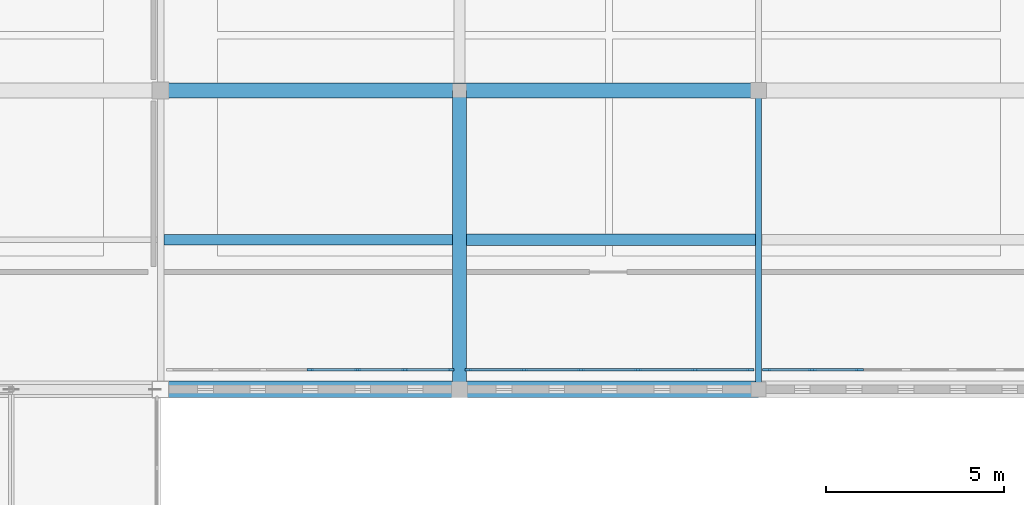
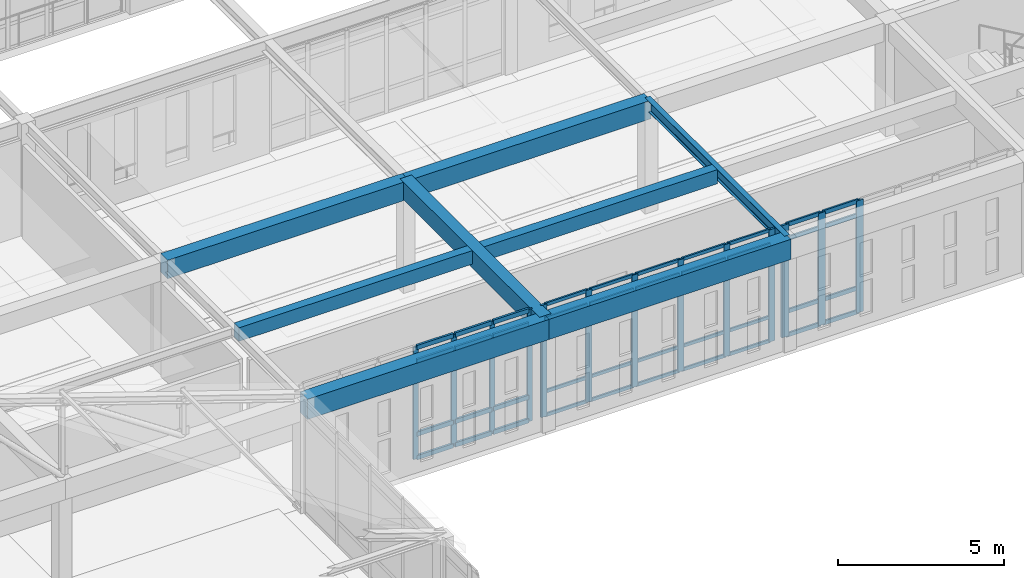
# One storey, part 91 of 192: 53 members, 8 beams, 3 elements without a shape of their own.
"""IFC4 building model written with IfcOpenShell, lengths in metres."""

import ifcopenshell
import ifcopenshell.guid

model = None  # the IFC model being written
_history = None  # IfcOwnerHistory: only IFC2X3 demands one
_inside = {}  # id of a spatial element -> (the spatial element, [elements in it])
_under = {}  # id of a project, library or spatial element -> (it, [spatial elements below it])
_declared = {}  # id of a project -> (the project, [libraries it declares])
_typed = {}  # id of a type object -> (the type object, [elements of that type])
_made_of = {}  # id of a material, layer set ... -> (it, [elements and type objects made of it])


def new_model(schema):
    """Start an empty IFC model of exactly this schema.

    Asked for "IFC4X3", IfcOpenShell would pick the latest addendum, in which some entities
    have other attributes; the version numbers below select the first issue.
    IFC2X3 requires an IfcOwnerHistory on every rooted entity: one is made here for all.
    """
    global model, _history
    if schema == "IFC4X3":
        model = ifcopenshell.file(schema_version=(4, 3, 0, 0))
    else:
        model = ifcopenshell.file(schema=schema)
    _inside.clear()
    _under.clear()
    _declared.clear()
    _typed.clear()
    _made_of.clear()
    _history = None
    if model.schema == "IFC2X3":
        org = make("IfcOrganization", Name="unknown")
        user = make(
            "IfcPersonAndOrganization",
            ThePerson=make("IfcPerson", FamilyName="unknown"),
            TheOrganization=org,
        )
        app = make(
            "IfcApplication",
            ApplicationDeveloper=org,
            Version="unknown",
            ApplicationFullName="unknown",
            ApplicationIdentifier="unknown",
        )
        _history = make(
            "IfcOwnerHistory",
            OwningUser=user,
            OwningApplication=app,
            ChangeAction="ADDED",
            CreationDate=0,
        )
    return model


def make(cls, **values):
    """One entity of the class cls with the attributes given. An attribute that is None is left unset."""
    return model.create_entity(
        cls, **{name: value for name, value in values.items() if value is not None}
    )


def rooted(cls, **values):
    """An entity with a GlobalId (a new one), such as an element, a storey or a relation."""
    return make(cls, GlobalId=ifcopenshell.guid.new(), OwnerHistory=_history, **values)


def si_unit(unit_type, name, prefix=None):
    """IfcSIUnit, for example si_unit("LENGTHUNIT", "METRE", prefix="MILLI")."""
    return make("IfcSIUnit", UnitType=unit_type, Prefix=prefix, Name=name)


def assignment(units):
    """IfcUnitAssignment: the units of a project."""
    return None if units is None else make("IfcUnitAssignment", Units=units)


def point(xyz):
    """IfcCartesianPoint."""
    return None if xyz is None else make("IfcCartesianPoint", Coordinates=xyz)


def direction(xyz):
    """IfcDirection."""
    return None if xyz is None else make("IfcDirection", DirectionRatios=xyz)


def frame(location, z_axis=None, x_axis=None):
    """IfcAxis2Placement3D, a coordinate frame: its origin and axes. An axis left out is left unset."""
    return make(
        "IfcAxis2Placement3D",
        Location=point(location),
        Axis=direction(z_axis),
        RefDirection=direction(x_axis),
    )


def frame_2d(location, x_axis=None):
    """IfcAxis2Placement2D, a coordinate frame in the plane: its origin and x axis."""
    return make(
        "IfcAxis2Placement2D", Location=point(location), RefDirection=direction(x_axis)
    )


def origin():
    """The frame at (0, 0, 0) with its axes left unset."""
    return frame((0.0, 0.0, 0.0))


def origin_2d():
    """The frame at (0, 0) in the plane with its x axis left unset."""
    return frame_2d((0.0, 0.0))


def place(relative_to, where):
    """IfcLocalPlacement: puts the frame where relative to a parent placement (None: the world)."""
    return make(
        "IfcLocalPlacement", PlacementRelTo=relative_to, RelativePlacement=where
    )


def context(
    kind, dimensions, precision=None, world=None, true_north=None, identifier=None
):
    """IfcGeometricRepresentationContext, for example the 3D "Model" context."""
    return make(
        "IfcGeometricRepresentationContext",
        ContextIdentifier=identifier,
        ContextType=kind,
        CoordinateSpaceDimension=dimensions,
        Precision=precision,
        WorldCoordinateSystem=world,
        TrueNorth=true_north,
    )


def subcontext(parent, identifier, kind, view, scale=None):
    """IfcGeometricRepresentationSubContext, for example "Body" below "Model"."""
    return make(
        "IfcGeometricRepresentationSubContext",
        ContextIdentifier=identifier,
        ContextType=kind,
        ParentContext=parent,
        TargetScale=scale,
        TargetView=view,
    )


def project(units=None, contexts=None):
    """IfcProject with its units and contexts."""
    return rooted(
        "IfcProject",
        Name="project",
        RepresentationContexts=contexts,
        UnitsInContext=assignment(units),
    )


def spatial(cls, under=None, at=None, **own):
    """A site, building, storey or space (cls), placed at a placement, below another one or the project."""
    s = rooted(cls, ObjectPlacement=at, **own)
    if under is not None:
        _under.setdefault(under.id(), (under, []))[1].append(s)
    return s


def profile(cls, at=None, kind="AREA", **sizes):
    """A parametric profile (cls). Its sizes go by their IFC names, for example OverallWidth=200.0."""
    return make(cls, ProfileType=kind, Position=at, **sizes)


def rectangle(**sizes):
    """IfcRectangleProfileDef."""
    return profile("IfcRectangleProfileDef", **sizes)


def i_section(**sizes):
    """IfcIShapeProfileDef."""
    return profile("IfcIShapeProfileDef", **sizes)


def extrude(swept, where, along, depth):
    """IfcExtrudedAreaSolid: the profile swept, set in the frame where, extruded along a direction by depth."""
    return make(
        "IfcExtrudedAreaSolid",
        SweptArea=swept,
        Position=where,
        ExtrudedDirection=direction(along),
        Depth=depth,
    )


def shape(context_of_items, identifier, shape_type, items):
    """IfcShapeRepresentation: the items that make up one representation, for example the "Body"."""
    return make(
        "IfcShapeRepresentation",
        ContextOfItems=context_of_items,
        RepresentationIdentifier=identifier,
        RepresentationType=shape_type,
        Items=items,
    )


def material(Name=None, Category=None):
    """IfcMaterial."""
    return make("IfcMaterial", Name=Name, Category=Category)


def layer(
    of_material, thickness, ventilated=None, Name=None, Category=None, Priority=None
):
    """IfcMaterialLayer: one layer of a wall or slab, of a material (None: an air gap)."""
    return make(
        "IfcMaterialLayer",
        Material=of_material,
        LayerThickness=thickness,
        IsVentilated=ventilated,
        Name=Name,
        Category=Category,
        Priority=Priority,
    )


def layer_set(layers, Name=None):
    """IfcMaterialLayerSet."""
    return make("IfcMaterialLayerSet", MaterialLayers=layers, LayerSetName=Name)


def material_profile(
    of_material, cross_section, Name=None, Category=None, Priority=None
):
    """IfcMaterialProfile: a cross section and its material."""
    return make(
        "IfcMaterialProfile",
        Name=Name,
        Material=of_material,
        Profile=cross_section,
        Priority=Priority,
        Category=Category,
    )


def profile_set(profiles, Name=None, composite=None):
    """IfcMaterialProfileSet."""
    return make(
        "IfcMaterialProfileSet",
        Name=Name,
        MaterialProfiles=profiles,
        CompositeProfile=composite,
    )


def made_of(thing, what):
    """Note that an element or type object is made of a material, layer set ...; save() writes the relation."""
    if what is not None:
        _made_of.setdefault(what.id(), (what, []))[1].append(thing)
    return thing


def type_object(cls, material=None, **own):
    """A type object (cls), such as IfcWallType, which elements share."""
    return made_of(rooted(cls, **own), material)


def element(
    cls,
    number,
    at=None,
    inside=None,
    cuts=None,
    type_object=None,
    material=None,
    context=None,
    identifier="Body",
    shape_type=None,
    held_by="IfcProductDefinitionShape",
    body=None,
    shapes=None,
    **own,
):
    """One element of the class cls, such as IfcWall. Its Tag is "e" and its number.

    at: its placement. inside: the storey or other place that contains it. cuts: it is an
    opening in that element (IfcRelVoidsElement). A single representation is given by context,
    identifier, shape_type and body (its items); several are given by shapes. held_by: the class
    of the entity that holds the representations. save() writes the other relations.
    """
    e = rooted(cls, Tag="e%d" % number, ObjectPlacement=at, **own)
    if body is not None:
        shapes = [shape(context, identifier, shape_type, body)]
    if shapes is not None:
        e.Representation = make(held_by, Representations=shapes)
    if inside is not None:
        _inside.setdefault(inside.id(), (inside, []))[1].append(e)
    if cuts is not None:
        rooted(
            "IfcRelVoidsElement", RelatingBuildingElement=cuts, RelatedOpeningElement=e
        )
    if type_object is not None:
        _typed.setdefault(type_object.id(), (type_object, []))[1].append(e)
    return made_of(e, material)


def aggregate(whole, parts):
    """IfcRelAggregates: a whole, such as a stair, and the parts it consists of."""
    return rooted("IfcRelAggregates", RelatingObject=whole, RelatedObjects=parts)


def save(model, path):
    """Write the relations noted so far, then the file.

    IfcRelAggregates (storeys below a building ...), IfcRelContainedInSpatialStructure (elements
    in a storey), IfcRelDefinesByType, IfcRelAssociatesMaterial and IfcRelDeclares: one each for
    every whole, place, type object, material and project.
    """
    for whole, parts in _under.values():
        aggregate(whole, parts)
    for where, things in _inside.values():
        rooted(
            "IfcRelContainedInSpatialStructure",
            RelatedElements=things,
            RelatingStructure=where,
        )
    for kind, things in _typed.values():
        rooted("IfcRelDefinesByType", RelatedObjects=things, RelatingType=kind)
    for what, things in _made_of.values():
        rooted("IfcRelAssociatesMaterial", RelatedObjects=things, RelatingMaterial=what)
    for by, libraries in _declared.values():
        rooted("IfcRelDeclares", RelatingContext=by, RelatedDefinitions=libraries)
    model.write(path)


model = new_model("IFC4")

# Units and contexts
model_context = context("Model", 3, precision=1e-05, world=origin(), true_north=direction((0.0, 1.0)))
body_context = subcontext(model_context, "Body", "Model", "MODEL_VIEW")
ifc_project = project(units=[si_unit("LENGTHUNIT", "METRE"), si_unit("AREAUNIT", "SQUARE_METRE"), si_unit("VOLUMEUNIT", "CUBIC_METRE"), si_unit("PLANEANGLEUNIT", "RADIAN"), si_unit("MASSUNIT", "GRAM", prefix="KILO")], contexts=[model_context])

# Site, building, storey
site_placement = place(None, origin())
site = spatial("IfcSite", under=ifc_project, at=site_placement, CompositionType="ELEMENT")
building_placement = place(site_placement, origin())
building = spatial("IfcBuilding", under=site, at=building_placement, Name="Kveldsbrygga Polytechnic", CompositionType="ELEMENT")
storey_placement = place(building_placement, frame((0.0, 0.0, 5.43994140625)))
storey = spatial("IfcBuildingStorey", under=building, at=storey_placement, Name="L01", CompositionType="ELEMENT", Elevation=5.43994140625)

# Beams
ifc_material_1 = material(Name="Concrete C35/45", Category="concrete")
ifc_material_profile_1 = material_profile(ifc_material_1, rectangle(XDim=0.39990234375, YDim=0.64990234375, at=origin_2d()), Name="RC 400x650")
ifc_profile_set_1 = profile_set([ifc_material_profile_1], Name="Concrete C35/45")
beam_type_1 = type_object("IfcBeamType", Name="BM-RC-400x650", PredefinedType="BEAM", material=ifc_profile_set_1)
beam_1_placement = place(storey_placement, frame((84.0, 84.0, 3.795166015625), z_axis=(0.0, 1.0, 0.0), x_axis=(-1.0, 0.0, 0.0)))
element("IfcBeam", 1, at=beam_1_placement, inside=storey, type_object=beam_type_1, Name="Primary Beam BMY-L01-10-10to11", PredefinedType="BEAM", context=body_context, shape_type="SweptSolid", body=[
    extrude(rectangle(XDim=0.39990234375, YDim=0.64990234375, at=origin_2d()), origin(), (0.0, 0.0, 1.0), 8.39990234375),
])
ifc_material_profile_2 = material_profile(ifc_material_1, rectangle(XDim=0.419921875, YDim=0.679931640625, at=origin_2d()), Name="RC 420x680")
ifc_profile_set_2 = profile_set([ifc_material_profile_2], Name="Concrete C35/45")
beam_type_2 = type_object("IfcBeamType", Name="BM-RC-420x680", PredefinedType="BEAM", material=ifc_profile_set_2)
for number, where, z_axis, x_axis, name in (
    (2, (75.60009765625, 92.39990234375, 3.780029296875), (1.0, 0.0, 0.0), (0.0, 1.0, 0.0), "Primary Beam BMX-L01-09to10-11"),
    (3, (84.0, 92.39990234375, 3.780029296875), (1.0, 0.0, 0.0), (0.0, 1.0, 0.0), "Primary Beam BMX-L01-10to11-11"),
):
    element("IfcBeam", number, at=place(storey_placement, frame(where, z_axis=z_axis, x_axis=x_axis)), inside=storey, type_object=beam_type_2, Name=name, PredefinedType="BEAM", context=body_context, shape_type="SweptSolid", body=[
        extrude(rectangle(XDim=0.419921875, YDim=0.679931640625, at=origin_2d()), origin(), (0.0, 0.0, 1.0), 8.39990234375),
    ])
ifc_material_profile_3 = material_profile(ifc_material_1, rectangle(XDim=0.4599609375, YDim=0.739990234375, at=origin_2d()), Name="RC 460x740")
ifc_profile_set_3 = profile_set([ifc_material_profile_3], Name="Concrete C35/45")
beam_type_3 = type_object("IfcBeamType", Name="BM-RC-460x740", PredefinedType="BEAM", material=ifc_profile_set_3)
for number, where, z_axis, x_axis, name in (
    (4, (75.60009765625, 84.0, 3.75), (1.0, 0.0, 0.0), (0.0, 1.0, 0.0), "Primary Beam BMX-L01-09to10-10"),
    (5, (84.0, 84.0, 3.75), (1.0, 0.0, 0.0), (0.0, 1.0, 0.0), "Primary Beam BMX-L01-10to11-10"),
):
    element("IfcBeam", number, at=place(storey_placement, frame(where, z_axis=z_axis, x_axis=x_axis)), inside=storey, type_object=beam_type_3, Name=name, PredefinedType="BEAM", context=body_context, shape_type="SweptSolid", body=[
        extrude(rectangle(XDim=0.4599609375, YDim=0.739990234375, at=origin_2d()), origin(), (0.0, 0.0, 1.0), 8.39990234375),
    ])
ifc_material_2 = material(Name="Steel S355", Category="steel")
ifc_material_profile_4 = material_profile(ifc_material_2, i_section(OverallWidth=0.179931640625, OverallDepth=0.39990234375, WebThickness=0.008544921875, FlangeThickness=0.013427734375, FilletRadius=0.02099609375, at=origin_2d()), Name="IPE 400")
ifc_profile_set_4 = profile_set([ifc_material_profile_4], Name="Steel S355")
beam_type_4 = type_object("IfcBeamType", Name="BM-STL-IPE400", PredefinedType="BEAM", material=ifc_profile_set_4)
beam_2_placement = place(storey_placement, frame((92.39990234375, 84.0, 3.920166015625), z_axis=(0.0, 1.0, 0.0), x_axis=(-1.0, 0.0, 0.0)))
element("IfcBeam", 6, at=beam_2_placement, inside=storey, type_object=beam_type_4, Name="Primary Beam BMY-L01-11-10to11", PredefinedType="BEAM", context=body_context, shape_type="SweptSolid", body=[
    extrude(i_section(OverallWidth=0.179931640625, OverallDepth=0.39990234375, WebThickness=0.008544921875, FlangeThickness=0.013427734375, FilletRadius=0.02099609375, at=origin_2d()), origin(), (0.0, 0.0, 1.0), 8.39990234375),
])

# Curtain wall, members
ifc_material_3 = material(Name="Anodised aluminium AW-6060", Category="aluminium")
ifc_layer_1 = layer(ifc_material_3, 0.169921875)
ifc_layer_set_1 = layer_set([ifc_layer_1], Name="Anodised aluminium AW-6060")
curtain_wall_type_1 = type_object("IfcCurtainWallType", Name="CW-FOYR-F", PredefinedType="USERDEFINED", material=ifc_layer_set_1)
curtain_wall_1_placement = place(storey_placement, origin())
curtain_wall_1 = element("IfcCurtainWall", 7, at=curtain_wall_1_placement, inside=storey, type_object=curtain_wall_type_1, Name="Curtain Wall CW-L01-X-09-10", ObjectType="STICK CURTAIN WALL", PredefinedType="USERDEFINED")
ifc_material_profile_5 = material_profile(ifc_material_3, rectangle(XDim=0.06005859375, YDim=0.179931640625, at=origin_2d()), Name="ALU 60x180")
ifc_profile_set_5 = profile_set([ifc_material_profile_5], Name="Anodised aluminium AW-6060")
member_type_1 = type_object("IfcMemberType", Name="CW-MUL-180", PredefinedType="MULLION", material=ifc_profile_set_5)
member_1_placement = place(storey_placement, frame((79.8076171875, 84.550048828125, 0.0), z_axis=(0.0, 0.0, 1.0), x_axis=(0.0, 1.0, 0.0)))
member_1 = element("IfcMember", 8, at=member_1_placement, type_object=member_type_1, Name="CW-06 mullion 4", PredefinedType="MULLION", context=body_context, shape_type="SweptSolid", body=[
    extrude(rectangle(XDim=0.06005859375, YDim=0.179931640625, at=origin_2d()), origin(), (0.0, 0.0, 1.0), 4.1201171875),
])
member_2_placement = place(storey_placement, frame((81.135009765625, 84.550048828125, 0.0), z_axis=(0.0, 0.0, 1.0), x_axis=(0.0, 1.0, 0.0)))
member_2 = element("IfcMember", 9, at=member_2_placement, type_object=member_type_1, Name="CW-06 mullion 5", PredefinedType="MULLION", context=body_context, shape_type="SweptSolid", body=[
    extrude(rectangle(XDim=0.06005859375, YDim=0.179931640625, at=origin_2d()), origin(), (0.0, 0.0, 1.0), 4.1201171875),
])
member_3_placement = place(storey_placement, frame((82.46240234375, 84.550048828125, 0.0), z_axis=(0.0, 0.0, 1.0), x_axis=(0.0, 1.0, 0.0)))
member_3 = element("IfcMember", 10, at=member_3_placement, type_object=member_type_1, Name="CW-06 mullion 6", PredefinedType="MULLION", context=body_context, shape_type="SweptSolid", body=[
    extrude(rectangle(XDim=0.06005859375, YDim=0.179931640625, at=origin_2d()), origin(), (0.0, 0.0, 1.0), 4.1201171875),
])
member_4_placement = place(storey_placement, frame((83.760009765625, 84.550048828125, 0.0), z_axis=(0.0, 0.0, 1.0), x_axis=(0.0, 1.0, 0.0)))
member_4 = element("IfcMember", 11, at=member_4_placement, type_object=member_type_1, Name="CW-06 mullion 7", PredefinedType="MULLION", context=body_context, shape_type="SweptSolid", body=[
    extrude(rectangle(XDim=0.06005859375, YDim=0.179931640625, at=origin_2d()), origin(), (0.0, 0.0, 1.0), 4.1201171875),
])

ifc_layer_2 = layer(ifc_material_3, 0.18994140625)
ifc_layer_set_2 = layer_set([ifc_layer_2], Name="Anodised aluminium AW-6060")
curtain_wall_type_2 = type_object("IfcCurtainWallType", Name="CW-REFC-G", PredefinedType="USERDEFINED", material=ifc_layer_set_2)
curtain_wall_2_placement = place(storey_placement, origin())
curtain_wall_2 = element("IfcCurtainWall", 12, at=curtain_wall_2_placement, inside=storey, type_object=curtain_wall_type_2, Name="Curtain Wall CW-L01-X-10-10", ObjectType="UNITISED CURTAIN WALL", PredefinedType="USERDEFINED")
ifc_material_profile_6 = material_profile(ifc_material_3, rectangle(XDim=0.074951171875, YDim=0.199951171875, at=origin_2d()), Name="ALU 75x200")
ifc_profile_set_6 = profile_set([ifc_material_profile_6], Name="Anodised aluminium AW-6060")
member_type_2 = type_object("IfcMemberType", Name="CW-MUL-200", PredefinedType="MULLION", material=ifc_profile_set_6)
member_5_placement = place(storey_placement, frame((84.24755859375, 84.550048828125, 0.0), z_axis=(0.0, 0.0, 1.0), x_axis=(0.0, 1.0, 0.0)))
member_5 = element("IfcMember", 13, at=member_5_placement, type_object=member_type_2, Name="CW-07 mullion 1", PredefinedType="MULLION", context=body_context, shape_type="SweptSolid", body=[
    extrude(rectangle(XDim=0.074951171875, YDim=0.199951171875, at=origin_2d()), origin(), (0.0, 0.0, 1.0), 4.1201171875),
])
member_6_placement = place(storey_placement, frame((85.80908203125, 84.550048828125, 0.0), z_axis=(0.0, 0.0, 1.0), x_axis=(0.0, 1.0, 0.0)))
member_6 = element("IfcMember", 14, at=member_6_placement, type_object=member_type_2, Name="CW-07 mullion 2", PredefinedType="MULLION", context=body_context, shape_type="SweptSolid", body=[
    extrude(rectangle(XDim=0.074951171875, YDim=0.199951171875, at=origin_2d()), origin(), (0.0, 0.0, 1.0), 4.1201171875),
])
member_7_placement = place(storey_placement, frame((87.407958984375, 84.550048828125, 0.0), z_axis=(0.0, 0.0, 1.0), x_axis=(0.0, 1.0, 0.0)))
member_7 = element("IfcMember", 15, at=member_7_placement, type_object=member_type_2, Name="CW-07 mullion 3", PredefinedType="MULLION", context=body_context, shape_type="SweptSolid", body=[
    extrude(rectangle(XDim=0.074951171875, YDim=0.199951171875, at=origin_2d()), origin(), (0.0, 0.0, 1.0), 4.1201171875),
])
member_8_placement = place(storey_placement, frame((89.007080078125, 84.550048828125, 0.0), z_axis=(0.0, 0.0, 1.0), x_axis=(0.0, 1.0, 0.0)))
member_8 = element("IfcMember", 16, at=member_8_placement, type_object=member_type_2, Name="CW-07 mullion 4", PredefinedType="MULLION", context=body_context, shape_type="SweptSolid", body=[
    extrude(rectangle(XDim=0.074951171875, YDim=0.199951171875, at=origin_2d()), origin(), (0.0, 0.0, 1.0), 4.1201171875),
])
member_9_placement = place(storey_placement, frame((90.60595703125, 84.550048828125, 0.0), z_axis=(0.0, 0.0, 1.0), x_axis=(0.0, 1.0, 0.0)))
member_9 = element("IfcMember", 17, at=member_9_placement, type_object=member_type_2, Name="CW-07 mullion 5", PredefinedType="MULLION", context=body_context, shape_type="SweptSolid", body=[
    extrude(rectangle(XDim=0.074951171875, YDim=0.199951171875, at=origin_2d()), origin(), (0.0, 0.0, 1.0), 4.1201171875),
])
member_10_placement = place(storey_placement, frame((92.16748046875, 84.550048828125, 0.0), z_axis=(0.0, 0.0, 1.0), x_axis=(0.0, 1.0, 0.0)))
member_10 = element("IfcMember", 18, at=member_10_placement, type_object=member_type_2, Name="CW-07 mullion 6", PredefinedType="MULLION", context=body_context, shape_type="SweptSolid", body=[
    extrude(rectangle(XDim=0.074951171875, YDim=0.199951171875, at=origin_2d()), origin(), (0.0, 0.0, 1.0), 4.1201171875),
])

ifc_layer_3 = layer(ifc_material_3, 0.2099609375)
ifc_layer_set_3 = layer_set([ifc_layer_3], Name="Anodised aluminium AW-6060")
curtain_wall_type_3 = type_object("IfcCurtainWallType", Name="CW-LIBR-H", PredefinedType="USERDEFINED", material=ifc_layer_set_3)
curtain_wall_3_placement = place(storey_placement, origin())
curtain_wall_3 = element("IfcCurtainWall", 19, at=curtain_wall_3_placement, inside=storey, type_object=curtain_wall_type_3, Name="Curtain Wall CW-L01-X-11-10", ObjectType="UNITISED CURTAIN WALL", PredefinedType="USERDEFINED")
ifc_material_profile_7 = material_profile(ifc_material_3, rectangle(XDim=0.074951171875, YDim=0.239990234375, at=origin_2d()), Name="ALU 75x240")
ifc_profile_set_7 = profile_set([ifc_material_profile_7], Name="Anodised aluminium AW-6060")
member_type_3 = type_object("IfcMemberType", Name="CW-MUL-240", PredefinedType="MULLION", material=ifc_profile_set_7)
member_11_placement = place(storey_placement, frame((92.632568359375, 84.550048828125, 0.0), z_axis=(0.0, 0.0, 1.0), x_axis=(0.0, 1.0, 0.0)))
member_11 = element("IfcMember", 20, at=member_11_placement, type_object=member_type_3, Name="CW-08 mullion 1", PredefinedType="MULLION", context=body_context, shape_type="SweptSolid", body=[
    extrude(rectangle(XDim=0.074951171875, YDim=0.239990234375, at=origin_2d()), origin(), (0.0, 0.0, 1.0), 4.1201171875),
])
member_12_placement = place(storey_placement, frame((93.910888671875, 84.550048828125, 0.0), z_axis=(0.0, 0.0, 1.0), x_axis=(0.0, 1.0, 0.0)))
member_12 = element("IfcMember", 21, at=member_12_placement, type_object=member_type_3, Name="CW-08 mullion 2", PredefinedType="MULLION", context=body_context, shape_type="SweptSolid", body=[
    extrude(rectangle(XDim=0.074951171875, YDim=0.239990234375, at=origin_2d()), origin(), (0.0, 0.0, 1.0), 4.1201171875),
])
member_13_placement = place(storey_placement, frame((95.2265625, 84.550048828125, 0.0), z_axis=(0.0, 0.0, 1.0), x_axis=(0.0, 1.0, 0.0)))
member_13 = element("IfcMember", 22, at=member_13_placement, type_object=member_type_3, Name="CW-08 mullion 3", PredefinedType="MULLION", context=body_context, shape_type="SweptSolid", body=[
    extrude(rectangle(XDim=0.074951171875, YDim=0.239990234375, at=origin_2d()), origin(), (0.0, 0.0, 1.0), 4.1201171875),
])

# Member
ifc_material_profile_8 = material_profile(ifc_material_3, rectangle(XDim=0.06005859375, YDim=0.1201171875, at=origin_2d()), Name="ALU 60x120")
ifc_profile_set_8 = profile_set([ifc_material_profile_8], Name="Anodised aluminium AW-6060")
member_type_4 = type_object("IfcMemberType", Name="CW-TRN-120", PredefinedType="USERDEFINED", material=ifc_profile_set_8)
member_14_placement = place(storey_placement, frame((84.284912109375, 84.550048828125, 0.030029296875), z_axis=(1.0, 0.0, 0.0), x_axis=(0.0, 1.0, 0.0)))
member_14 = element("IfcMember", 23, at=member_14_placement, type_object=member_type_4, Name="CW-07 transom 1.1", ObjectType="TRANSOM", PredefinedType="USERDEFINED", context=body_context, shape_type="SweptSolid", body=[
    extrude(rectangle(XDim=0.06005859375, YDim=0.1201171875, at=origin_2d()), origin(), (0.0, 0.0, 1.0), 1.486572265625),
])

member_15_placement = place(storey_placement, frame((84.284912109375, 84.550048828125, 0.900146484375), z_axis=(1.0, 0.0, 0.0), x_axis=(0.0, 1.0, 0.0)))
member_15 = element("IfcMember", 24, at=member_15_placement, type_object=member_type_4, Name="CW-07 transom 1.2", ObjectType="TRANSOM", PredefinedType="USERDEFINED", context=body_context, shape_type="SweptSolid", body=[
    extrude(rectangle(XDim=0.06005859375, YDim=0.1201171875, at=origin_2d()), origin(), (0.0, 0.0, 1.0), 1.486572265625),
])

member_16_placement = place(storey_placement, frame((84.284912109375, 84.550048828125, 3.570068359375), z_axis=(1.0, 0.0, 0.0), x_axis=(0.0, 1.0, 0.0)))
member_16 = element("IfcMember", 25, at=member_16_placement, type_object=member_type_4, Name="CW-07 transom 1.3", ObjectType="TRANSOM", PredefinedType="USERDEFINED", context=body_context, shape_type="SweptSolid", body=[
    extrude(rectangle(XDim=0.06005859375, YDim=0.1201171875, at=origin_2d()), origin(), (0.0, 0.0, 1.0), 1.486572265625),
])

member_17_placement = place(storey_placement, frame((84.284912109375, 84.550048828125, 4.090087890625), z_axis=(1.0, 0.0, 0.0), x_axis=(0.0, 1.0, 0.0)))
member_17 = element("IfcMember", 26, at=member_17_placement, type_object=member_type_4, Name="CW-07 transom 1.4", ObjectType="TRANSOM", PredefinedType="USERDEFINED", context=body_context, shape_type="SweptSolid", body=[
    extrude(rectangle(XDim=0.06005859375, YDim=0.1201171875, at=origin_2d()), origin(), (0.0, 0.0, 1.0), 1.486572265625),
])

member_18_placement = place(storey_placement, frame((85.846435546875, 84.550048828125, 0.030029296875), z_axis=(1.0, 0.0, 0.0), x_axis=(0.0, 1.0, 0.0)))
member_18 = element("IfcMember", 27, at=member_18_placement, type_object=member_type_4, Name="CW-07 transom 2.1", ObjectType="TRANSOM", PredefinedType="USERDEFINED", context=body_context, shape_type="SweptSolid", body=[
    extrude(rectangle(XDim=0.06005859375, YDim=0.1201171875, at=origin_2d()), origin(), (0.0, 0.0, 1.0), 1.524169921875),
])

member_19_placement = place(storey_placement, frame((85.846435546875, 84.550048828125, 0.900146484375), z_axis=(1.0, 0.0, 0.0), x_axis=(0.0, 1.0, 0.0)))
member_19 = element("IfcMember", 28, at=member_19_placement, type_object=member_type_4, Name="CW-07 transom 2.2", ObjectType="TRANSOM", PredefinedType="USERDEFINED", context=body_context, shape_type="SweptSolid", body=[
    extrude(rectangle(XDim=0.06005859375, YDim=0.1201171875, at=origin_2d()), origin(), (0.0, 0.0, 1.0), 1.524169921875),
])

member_20_placement = place(storey_placement, frame((85.846435546875, 84.550048828125, 3.570068359375), z_axis=(1.0, 0.0, 0.0), x_axis=(0.0, 1.0, 0.0)))
member_20 = element("IfcMember", 29, at=member_20_placement, type_object=member_type_4, Name="CW-07 transom 2.3", ObjectType="TRANSOM", PredefinedType="USERDEFINED", context=body_context, shape_type="SweptSolid", body=[
    extrude(rectangle(XDim=0.06005859375, YDim=0.1201171875, at=origin_2d()), origin(), (0.0, 0.0, 1.0), 1.524169921875),
])

member_21_placement = place(storey_placement, frame((85.846435546875, 84.550048828125, 4.090087890625), z_axis=(1.0, 0.0, 0.0), x_axis=(0.0, 1.0, 0.0)))
member_21 = element("IfcMember", 30, at=member_21_placement, type_object=member_type_4, Name="CW-07 transom 2.4", ObjectType="TRANSOM", PredefinedType="USERDEFINED", context=body_context, shape_type="SweptSolid", body=[
    extrude(rectangle(XDim=0.06005859375, YDim=0.1201171875, at=origin_2d()), origin(), (0.0, 0.0, 1.0), 1.524169921875),
])

member_22_placement = place(storey_placement, frame((87.445556640625, 84.550048828125, 0.030029296875), z_axis=(1.0, 0.0, 0.0), x_axis=(0.0, 1.0, 0.0)))
member_22 = element("IfcMember", 31, at=member_22_placement, type_object=member_type_4, Name="CW-07 transom 3.1", ObjectType="TRANSOM", PredefinedType="USERDEFINED", context=body_context, shape_type="SweptSolid", body=[
    extrude(rectangle(XDim=0.06005859375, YDim=0.1201171875, at=origin_2d()), origin(), (0.0, 0.0, 1.0), 1.52392578125),
])

member_23_placement = place(storey_placement, frame((87.445556640625, 84.550048828125, 0.900146484375), z_axis=(1.0, 0.0, 0.0), x_axis=(0.0, 1.0, 0.0)))
member_23 = element("IfcMember", 32, at=member_23_placement, type_object=member_type_4, Name="CW-07 transom 3.2", ObjectType="TRANSOM", PredefinedType="USERDEFINED", context=body_context, shape_type="SweptSolid", body=[
    extrude(rectangle(XDim=0.06005859375, YDim=0.1201171875, at=origin_2d()), origin(), (0.0, 0.0, 1.0), 1.52392578125),
])

member_24_placement = place(storey_placement, frame((87.445556640625, 84.550048828125, 3.570068359375), z_axis=(1.0, 0.0, 0.0), x_axis=(0.0, 1.0, 0.0)))
member_24 = element("IfcMember", 33, at=member_24_placement, type_object=member_type_4, Name="CW-07 transom 3.3", ObjectType="TRANSOM", PredefinedType="USERDEFINED", context=body_context, shape_type="SweptSolid", body=[
    extrude(rectangle(XDim=0.06005859375, YDim=0.1201171875, at=origin_2d()), origin(), (0.0, 0.0, 1.0), 1.52392578125),
])

member_25_placement = place(storey_placement, frame((87.445556640625, 84.550048828125, 4.090087890625), z_axis=(1.0, 0.0, 0.0), x_axis=(0.0, 1.0, 0.0)))
member_25 = element("IfcMember", 34, at=member_25_placement, type_object=member_type_4, Name="CW-07 transom 3.4", ObjectType="TRANSOM", PredefinedType="USERDEFINED", context=body_context, shape_type="SweptSolid", body=[
    extrude(rectangle(XDim=0.06005859375, YDim=0.1201171875, at=origin_2d()), origin(), (0.0, 0.0, 1.0), 1.52392578125),
])

member_26_placement = place(storey_placement, frame((89.04443359375, 84.550048828125, 0.030029296875), z_axis=(1.0, 0.0, 0.0), x_axis=(0.0, 1.0, 0.0)))
member_26 = element("IfcMember", 35, at=member_26_placement, type_object=member_type_4, Name="CW-07 transom 4.1", ObjectType="TRANSOM", PredefinedType="USERDEFINED", context=body_context, shape_type="SweptSolid", body=[
    extrude(rectangle(XDim=0.06005859375, YDim=0.1201171875, at=origin_2d()), origin(), (0.0, 0.0, 1.0), 1.524169921875),
])

member_27_placement = place(storey_placement, frame((89.04443359375, 84.550048828125, 0.900146484375), z_axis=(1.0, 0.0, 0.0), x_axis=(0.0, 1.0, 0.0)))
member_27 = element("IfcMember", 36, at=member_27_placement, type_object=member_type_4, Name="CW-07 transom 4.2", ObjectType="TRANSOM", PredefinedType="USERDEFINED", context=body_context, shape_type="SweptSolid", body=[
    extrude(rectangle(XDim=0.06005859375, YDim=0.1201171875, at=origin_2d()), origin(), (0.0, 0.0, 1.0), 1.524169921875),
])

member_28_placement = place(storey_placement, frame((89.04443359375, 84.550048828125, 3.570068359375), z_axis=(1.0, 0.0, 0.0), x_axis=(0.0, 1.0, 0.0)))
member_28 = element("IfcMember", 37, at=member_28_placement, type_object=member_type_4, Name="CW-07 transom 4.3", ObjectType="TRANSOM", PredefinedType="USERDEFINED", context=body_context, shape_type="SweptSolid", body=[
    extrude(rectangle(XDim=0.06005859375, YDim=0.1201171875, at=origin_2d()), origin(), (0.0, 0.0, 1.0), 1.524169921875),
])

member_29_placement = place(storey_placement, frame((89.04443359375, 84.550048828125, 4.090087890625), z_axis=(1.0, 0.0, 0.0), x_axis=(0.0, 1.0, 0.0)))
member_29 = element("IfcMember", 38, at=member_29_placement, type_object=member_type_4, Name="CW-07 transom 4.4", ObjectType="TRANSOM", PredefinedType="USERDEFINED", context=body_context, shape_type="SweptSolid", body=[
    extrude(rectangle(XDim=0.06005859375, YDim=0.1201171875, at=origin_2d()), origin(), (0.0, 0.0, 1.0), 1.524169921875),
])

member_30_placement = place(storey_placement, frame((90.6435546875, 84.550048828125, 0.030029296875), z_axis=(1.0, 0.0, 0.0), x_axis=(0.0, 1.0, 0.0)))
member_30 = element("IfcMember", 39, at=member_30_placement, type_object=member_type_4, Name="CW-07 transom 5.1", ObjectType="TRANSOM", PredefinedType="USERDEFINED", context=body_context, shape_type="SweptSolid", body=[
    extrude(rectangle(XDim=0.06005859375, YDim=0.1201171875, at=origin_2d()), origin(), (0.0, 0.0, 1.0), 1.486328125),
])

member_31_placement = place(storey_placement, frame((90.6435546875, 84.550048828125, 0.900146484375), z_axis=(1.0, 0.0, 0.0), x_axis=(0.0, 1.0, 0.0)))
member_31 = element("IfcMember", 40, at=member_31_placement, type_object=member_type_4, Name="CW-07 transom 5.2", ObjectType="TRANSOM", PredefinedType="USERDEFINED", context=body_context, shape_type="SweptSolid", body=[
    extrude(rectangle(XDim=0.06005859375, YDim=0.1201171875, at=origin_2d()), origin(), (0.0, 0.0, 1.0), 1.486328125),
])

member_32_placement = place(storey_placement, frame((90.6435546875, 84.550048828125, 3.570068359375), z_axis=(1.0, 0.0, 0.0), x_axis=(0.0, 1.0, 0.0)))
member_32 = element("IfcMember", 41, at=member_32_placement, type_object=member_type_4, Name="CW-07 transom 5.3", ObjectType="TRANSOM", PredefinedType="USERDEFINED", context=body_context, shape_type="SweptSolid", body=[
    extrude(rectangle(XDim=0.06005859375, YDim=0.1201171875, at=origin_2d()), origin(), (0.0, 0.0, 1.0), 1.486328125),
])

member_33_placement = place(storey_placement, frame((90.6435546875, 84.550048828125, 4.090087890625), z_axis=(1.0, 0.0, 0.0), x_axis=(0.0, 1.0, 0.0)))
member_33 = element("IfcMember", 42, at=member_33_placement, type_object=member_type_4, Name="CW-07 transom 5.4", ObjectType="TRANSOM", PredefinedType="USERDEFINED", context=body_context, shape_type="SweptSolid", body=[
    extrude(rectangle(XDim=0.06005859375, YDim=0.1201171875, at=origin_2d()), origin(), (0.0, 0.0, 1.0), 1.486328125),
])

aggregate(curtain_wall_2, [member_5, member_6, member_7, member_8, member_9, member_10, member_14, member_15, member_16, member_17, member_18, member_19, member_20, member_21, member_22, member_23, member_24, member_25, member_26, member_27, member_28, member_29, member_30, member_31, member_32, member_33])

ifc_material_profile_9 = material_profile(ifc_material_3, rectangle(XDim=0.06005859375, YDim=0.14990234375, at=origin_2d()), Name="ALU 60x150")
ifc_profile_set_9 = profile_set([ifc_material_profile_9], Name="Anodised aluminium AW-6060")
member_type_5 = type_object("IfcMemberType", Name="CW-TRN-150", PredefinedType="USERDEFINED", material=ifc_profile_set_9)
member_34_placement = place(storey_placement, frame((92.669921875, 84.550048828125, 0.030029296875), z_axis=(1.0, 0.0, 0.0), x_axis=(0.0, 1.0, 0.0)))
member_34 = element("IfcMember", 43, at=member_34_placement, type_object=member_type_5, Name="CW-08 transom 1.1", ObjectType="TRANSOM", PredefinedType="USERDEFINED", context=body_context, shape_type="SweptSolid", body=[
    extrude(rectangle(XDim=0.06005859375, YDim=0.14990234375, at=origin_2d()), origin(), (0.0, 0.0, 1.0), 1.203369140625),
])

member_35_placement = place(storey_placement, frame((92.669921875, 84.550048828125, 0.900146484375), z_axis=(1.0, 0.0, 0.0), x_axis=(0.0, 1.0, 0.0)))
member_35 = element("IfcMember", 44, at=member_35_placement, type_object=member_type_5, Name="CW-08 transom 1.2", ObjectType="TRANSOM", PredefinedType="USERDEFINED", context=body_context, shape_type="SweptSolid", body=[
    extrude(rectangle(XDim=0.06005859375, YDim=0.14990234375, at=origin_2d()), origin(), (0.0, 0.0, 1.0), 1.203369140625),
])

member_36_placement = place(storey_placement, frame((92.669921875, 84.550048828125, 3.570068359375), z_axis=(1.0, 0.0, 0.0), x_axis=(0.0, 1.0, 0.0)))
member_36 = element("IfcMember", 45, at=member_36_placement, type_object=member_type_5, Name="CW-08 transom 1.3", ObjectType="TRANSOM", PredefinedType="USERDEFINED", context=body_context, shape_type="SweptSolid", body=[
    extrude(rectangle(XDim=0.06005859375, YDim=0.14990234375, at=origin_2d()), origin(), (0.0, 0.0, 1.0), 1.203369140625),
])

member_37_placement = place(storey_placement, frame((92.669921875, 84.550048828125, 4.090087890625), z_axis=(1.0, 0.0, 0.0), x_axis=(0.0, 1.0, 0.0)))
member_37 = element("IfcMember", 46, at=member_37_placement, type_object=member_type_5, Name="CW-08 transom 1.4", ObjectType="TRANSOM", PredefinedType="USERDEFINED", context=body_context, shape_type="SweptSolid", body=[
    extrude(rectangle(XDim=0.06005859375, YDim=0.14990234375, at=origin_2d()), origin(), (0.0, 0.0, 1.0), 1.203369140625),
])

member_38_placement = place(storey_placement, frame((93.9482421875, 84.550048828125, 0.030029296875), z_axis=(1.0, 0.0, 0.0), x_axis=(0.0, 1.0, 0.0)))
member_38 = element("IfcMember", 47, at=member_38_placement, type_object=member_type_5, Name="CW-08 transom 2.1", ObjectType="TRANSOM", PredefinedType="USERDEFINED", context=body_context, shape_type="SweptSolid", body=[
    extrude(rectangle(XDim=0.06005859375, YDim=0.14990234375, at=origin_2d()), origin(), (0.0, 0.0, 1.0), 1.240966796875),
])

member_39_placement = place(storey_placement, frame((93.9482421875, 84.550048828125, 0.900146484375), z_axis=(1.0, 0.0, 0.0), x_axis=(0.0, 1.0, 0.0)))
member_39 = element("IfcMember", 48, at=member_39_placement, type_object=member_type_5, Name="CW-08 transom 2.2", ObjectType="TRANSOM", PredefinedType="USERDEFINED", context=body_context, shape_type="SweptSolid", body=[
    extrude(rectangle(XDim=0.06005859375, YDim=0.14990234375, at=origin_2d()), origin(), (0.0, 0.0, 1.0), 1.240966796875),
])

member_40_placement = place(storey_placement, frame((93.9482421875, 84.550048828125, 3.570068359375), z_axis=(1.0, 0.0, 0.0), x_axis=(0.0, 1.0, 0.0)))
member_40 = element("IfcMember", 49, at=member_40_placement, type_object=member_type_5, Name="CW-08 transom 2.3", ObjectType="TRANSOM", PredefinedType="USERDEFINED", context=body_context, shape_type="SweptSolid", body=[
    extrude(rectangle(XDim=0.06005859375, YDim=0.14990234375, at=origin_2d()), origin(), (0.0, 0.0, 1.0), 1.240966796875),
])

member_41_placement = place(storey_placement, frame((93.9482421875, 84.550048828125, 4.090087890625), z_axis=(1.0, 0.0, 0.0), x_axis=(0.0, 1.0, 0.0)))
member_41 = element("IfcMember", 50, at=member_41_placement, type_object=member_type_5, Name="CW-08 transom 2.4", ObjectType="TRANSOM", PredefinedType="USERDEFINED", context=body_context, shape_type="SweptSolid", body=[
    extrude(rectangle(XDim=0.06005859375, YDim=0.14990234375, at=origin_2d()), origin(), (0.0, 0.0, 1.0), 1.240966796875),
])

aggregate(curtain_wall_3, [member_11, member_12, member_13, member_34, member_35, member_36, member_37, member_38, member_39, member_40, member_41])

ifc_material_profile_10 = material_profile(ifc_material_3, rectangle(XDim=0.074951171875, YDim=0.159912109375, at=origin_2d()), Name="ALU 75x160")
ifc_profile_set_10 = profile_set([ifc_material_profile_10], Name="Anodised aluminium AW-6060")
member_type_6 = type_object("IfcMemberType", Name="CW-TRN-160", PredefinedType="USERDEFINED", material=ifc_profile_set_10)
member_42_placement = place(storey_placement, frame((79.83740234375, 84.550048828125, 0.03759765625), z_axis=(1.0, 0.0, 0.0), x_axis=(0.0, 1.0, 0.0)))
member_42 = element("IfcMember", 51, at=member_42_placement, type_object=member_type_6, Name="CW-06 transom 4.1", ObjectType="TRANSOM", PredefinedType="USERDEFINED", context=body_context, shape_type="SweptSolid", body=[
    extrude(rectangle(XDim=0.074951171875, YDim=0.159912109375, at=origin_2d()), origin(), (0.0, 0.0, 1.0), 1.267578125),
])

member_43_placement = place(storey_placement, frame((79.83740234375, 84.550048828125, 0.900146484375), z_axis=(1.0, 0.0, 0.0), x_axis=(0.0, 1.0, 0.0)))
member_43 = element("IfcMember", 52, at=member_43_placement, type_object=member_type_6, Name="CW-06 transom 4.2", ObjectType="TRANSOM", PredefinedType="USERDEFINED", context=body_context, shape_type="SweptSolid", body=[
    extrude(rectangle(XDim=0.074951171875, YDim=0.159912109375, at=origin_2d()), origin(), (0.0, 0.0, 1.0), 1.267578125),
])

member_44_placement = place(storey_placement, frame((79.83740234375, 84.550048828125, 3.570068359375), z_axis=(1.0, 0.0, 0.0), x_axis=(0.0, 1.0, 0.0)))
member_44 = element("IfcMember", 53, at=member_44_placement, type_object=member_type_6, Name="CW-06 transom 4.3", ObjectType="TRANSOM", PredefinedType="USERDEFINED", context=body_context, shape_type="SweptSolid", body=[
    extrude(rectangle(XDim=0.074951171875, YDim=0.159912109375, at=origin_2d()), origin(), (0.0, 0.0, 1.0), 1.267578125),
])

member_45_placement = place(storey_placement, frame((79.83740234375, 84.550048828125, 4.08251953125), z_axis=(1.0, 0.0, 0.0), x_axis=(0.0, 1.0, 0.0)))
member_45 = element("IfcMember", 54, at=member_45_placement, type_object=member_type_6, Name="CW-06 transom 4.4", ObjectType="TRANSOM", PredefinedType="USERDEFINED", context=body_context, shape_type="SweptSolid", body=[
    extrude(rectangle(XDim=0.074951171875, YDim=0.159912109375, at=origin_2d()), origin(), (0.0, 0.0, 1.0), 1.267578125),
])

member_46_placement = place(storey_placement, frame((81.1650390625, 84.550048828125, 0.03759765625), z_axis=(1.0, 0.0, 0.0), x_axis=(0.0, 1.0, 0.0)))
member_46 = element("IfcMember", 55, at=member_46_placement, type_object=member_type_6, Name="CW-06 transom 5.1", ObjectType="TRANSOM", PredefinedType="USERDEFINED", context=body_context, shape_type="SweptSolid", body=[
    extrude(rectangle(XDim=0.074951171875, YDim=0.159912109375, at=origin_2d()), origin(), (0.0, 0.0, 1.0), 1.267578125),
])

member_47_placement = place(storey_placement, frame((81.1650390625, 84.550048828125, 0.900146484375), z_axis=(1.0, 0.0, 0.0), x_axis=(0.0, 1.0, 0.0)))
member_47 = element("IfcMember", 56, at=member_47_placement, type_object=member_type_6, Name="CW-06 transom 5.2", ObjectType="TRANSOM", PredefinedType="USERDEFINED", context=body_context, shape_type="SweptSolid", body=[
    extrude(rectangle(XDim=0.074951171875, YDim=0.159912109375, at=origin_2d()), origin(), (0.0, 0.0, 1.0), 1.267578125),
])

member_48_placement = place(storey_placement, frame((81.1650390625, 84.550048828125, 3.570068359375), z_axis=(1.0, 0.0, 0.0), x_axis=(0.0, 1.0, 0.0)))
member_48 = element("IfcMember", 57, at=member_48_placement, type_object=member_type_6, Name="CW-06 transom 5.3", ObjectType="TRANSOM", PredefinedType="USERDEFINED", context=body_context, shape_type="SweptSolid", body=[
    extrude(rectangle(XDim=0.074951171875, YDim=0.159912109375, at=origin_2d()), origin(), (0.0, 0.0, 1.0), 1.267578125),
])

member_49_placement = place(storey_placement, frame((81.1650390625, 84.550048828125, 4.08251953125), z_axis=(1.0, 0.0, 0.0), x_axis=(0.0, 1.0, 0.0)))
member_49 = element("IfcMember", 58, at=member_49_placement, type_object=member_type_6, Name="CW-06 transom 5.4", ObjectType="TRANSOM", PredefinedType="USERDEFINED", context=body_context, shape_type="SweptSolid", body=[
    extrude(rectangle(XDim=0.074951171875, YDim=0.159912109375, at=origin_2d()), origin(), (0.0, 0.0, 1.0), 1.267578125),
])

member_50_placement = place(storey_placement, frame((82.492431640625, 84.550048828125, 0.03759765625), z_axis=(1.0, 0.0, 0.0), x_axis=(0.0, 1.0, 0.0)))
member_50 = element("IfcMember", 59, at=member_50_placement, type_object=member_type_6, Name="CW-06 transom 6.1", ObjectType="TRANSOM", PredefinedType="USERDEFINED", context=body_context, shape_type="SweptSolid", body=[
    extrude(rectangle(XDim=0.074951171875, YDim=0.159912109375, at=origin_2d()), origin(), (0.0, 0.0, 1.0), 1.237548828125),
])

member_51_placement = place(storey_placement, frame((82.492431640625, 84.550048828125, 0.900146484375), z_axis=(1.0, 0.0, 0.0), x_axis=(0.0, 1.0, 0.0)))
member_51 = element("IfcMember", 60, at=member_51_placement, type_object=member_type_6, Name="CW-06 transom 6.2", ObjectType="TRANSOM", PredefinedType="USERDEFINED", context=body_context, shape_type="SweptSolid", body=[
    extrude(rectangle(XDim=0.074951171875, YDim=0.159912109375, at=origin_2d()), origin(), (0.0, 0.0, 1.0), 1.237548828125),
])

member_52_placement = place(storey_placement, frame((82.492431640625, 84.550048828125, 3.570068359375), z_axis=(1.0, 0.0, 0.0), x_axis=(0.0, 1.0, 0.0)))
member_52 = element("IfcMember", 61, at=member_52_placement, type_object=member_type_6, Name="CW-06 transom 6.3", ObjectType="TRANSOM", PredefinedType="USERDEFINED", context=body_context, shape_type="SweptSolid", body=[
    extrude(rectangle(XDim=0.074951171875, YDim=0.159912109375, at=origin_2d()), origin(), (0.0, 0.0, 1.0), 1.237548828125),
])

member_53_placement = place(storey_placement, frame((82.492431640625, 84.550048828125, 4.08251953125), z_axis=(1.0, 0.0, 0.0), x_axis=(0.0, 1.0, 0.0)))
member_53 = element("IfcMember", 62, at=member_53_placement, type_object=member_type_6, Name="CW-06 transom 6.4", ObjectType="TRANSOM", PredefinedType="USERDEFINED", context=body_context, shape_type="SweptSolid", body=[
    extrude(rectangle(XDim=0.074951171875, YDim=0.159912109375, at=origin_2d()), origin(), (0.0, 0.0, 1.0), 1.237548828125),
])

aggregate(curtain_wall_1, [member_1, member_2, member_3, member_4, member_42, member_43, member_44, member_45, member_46, member_47, member_48, member_49, member_50, member_51, member_52, member_53])

# Beams
ifc_material_profile_11 = material_profile(ifc_material_1, rectangle(XDim=0.300048828125, YDim=0.5, at=origin_2d()), Name="RC 300x500")
ifc_profile_set_11 = profile_set([ifc_material_profile_11], Name="Concrete C35/45")
beam_type_5 = type_object("IfcBeamType", Name="JST-RC-300x500", PredefinedType="JOIST", material=ifc_profile_set_11)
beam_3_placement = place(storey_placement, frame((75.68994140625, 88.199951171875, 3.8701171875), z_axis=(1.0, 0.0, 0.0), x_axis=(0.0, 1.0, 0.0)))
element("IfcBeam", 63, at=beam_3_placement, inside=storey, type_object=beam_type_5, Name="Secondary Joist JST-L01-09-10", PredefinedType="JOIST", context=body_context, shape_type="SweptSolid", body=[
    extrude(rectangle(XDim=0.300048828125, YDim=0.5, at=origin_2d()), origin(), (0.0, 0.0, 1.0), 8.110107421875),
])
ifc_material_profile_12 = material_profile(ifc_material_1, rectangle(XDim=0.320068359375, YDim=0.52001953125, at=origin_2d()), Name="RC 320x520")
ifc_profile_set_12 = profile_set([ifc_material_profile_12], Name="Concrete C35/45")
beam_type_6 = type_object("IfcBeamType", Name="JST-RC-320x520", PredefinedType="JOIST", material=ifc_profile_set_12)
beam_4_placement = place(storey_placement, frame((84.199951171875, 88.199951171875, 3.860107421875), z_axis=(1.0, 0.0, 0.0), x_axis=(0.0, 1.0, 0.0)))
element("IfcBeam", 64, at=beam_4_placement, inside=storey, type_object=beam_type_6, Name="Secondary Joist JST-L01-10-10", PredefinedType="JOIST", context=body_context, shape_type="SweptSolid", body=[
    extrude(rectangle(XDim=0.320068359375, YDim=0.52001953125, at=origin_2d()), origin(), (0.0, 0.0, 1.0), 8.110107421875),
])

save(model, "model.ifc")
